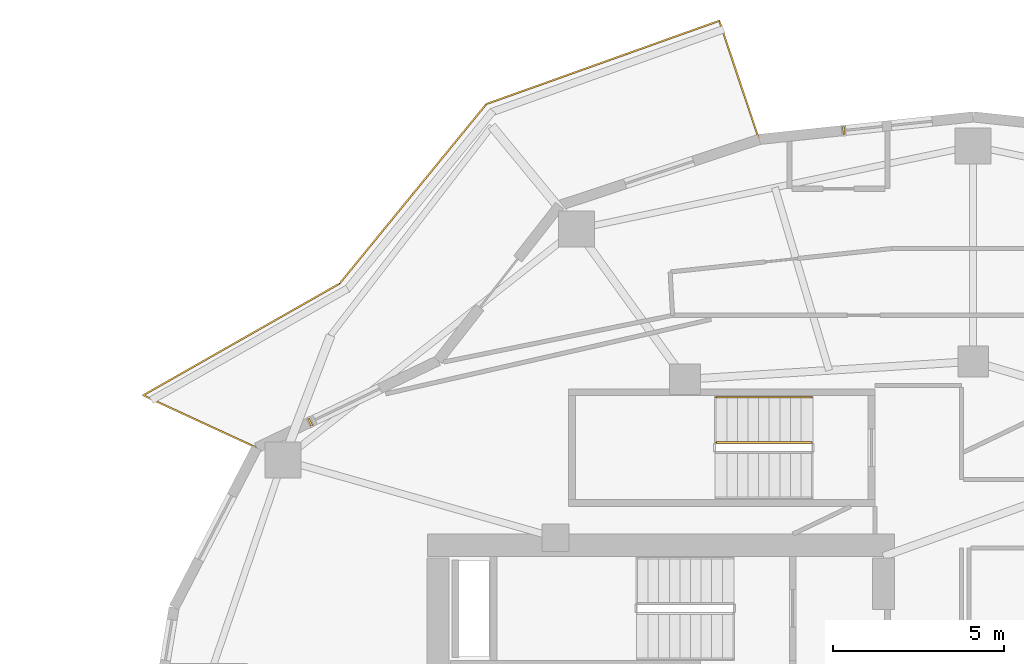
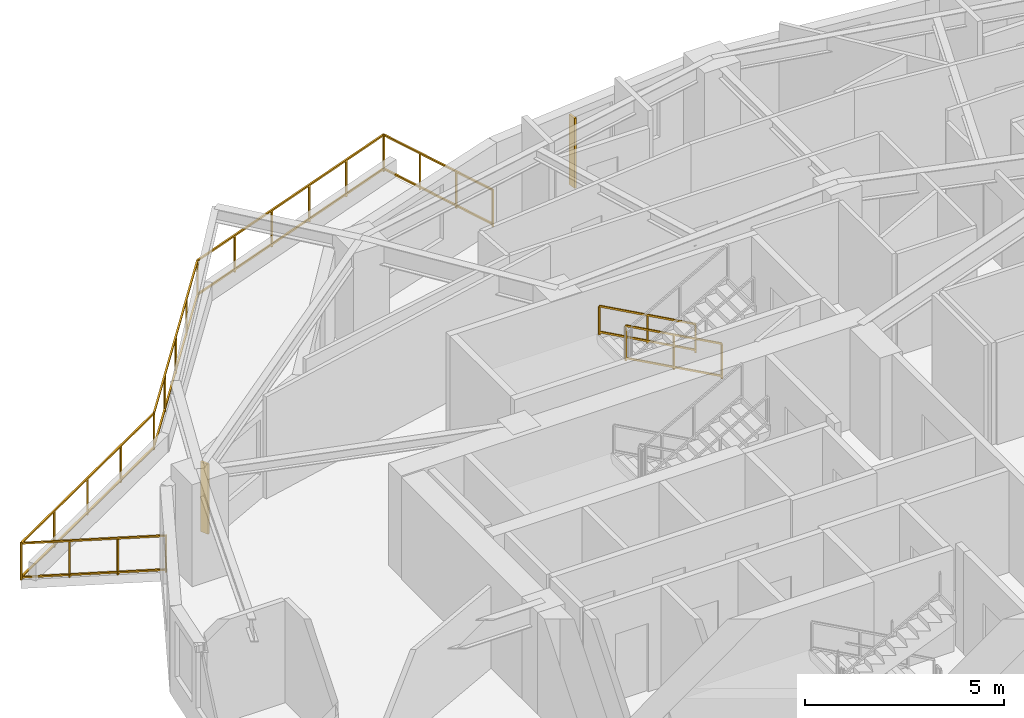
# One storey, part 19 of 19: 3 railings, 2 shading devices.
"""IFC4 building model written with IfcOpenShell, lengths in metres."""

from ifc_helpers import new_model, si_unit, direction, frame, origin, origin_2d, place, context, subcontext, project, spatial, rectangle, extrude, material, type_object, element, save


model = new_model("IFC4")

# Units and contexts
model_context = context("Model", 3, precision=1e-05, world=origin(), true_north=direction((0.0, 1.0)))
body_context = subcontext(model_context, "Body", "Model", "MODEL_VIEW")
ifc_project = project(units=[si_unit("LENGTHUNIT", "METRE"), si_unit("AREAUNIT", "SQUARE_METRE"), si_unit("VOLUMEUNIT", "CUBIC_METRE"), si_unit("PLANEANGLEUNIT", "RADIAN"), si_unit("MASSUNIT", "GRAM", prefix="KILO")], contexts=[model_context])

# Site, building, storey
site_placement = place(None, origin())
site = spatial("IfcSite", under=ifc_project, at=site_placement, CompositionType="ELEMENT")
building_placement = place(site_placement, origin())
building = spatial("IfcBuilding", under=site, at=building_placement, Name="Kolvaren Gate Tower and Convention Centre", CompositionType="ELEMENT")
storey_placement = place(building_placement, frame((0.0, 0.0, 122.300048828125)))
storey = spatial("IfcBuildingStorey", under=building, at=storey_placement, Name="L30", CompositionType="ELEMENT", Elevation=122.300048828125)

# Railings
ifc_material_1 = material(Name="Brushed Stainless Steel Grade 316L", Category="steel")
railing_type_1 = type_object("IfcRailingType", Name="ARCH-RL-GUARD-1150", PredefinedType="GUARDRAIL", material=ifc_material_1)
railing_1_placement = place(storey_placement, frame((25.39990234375, 36.830078125, 0.169921875)))
element("IfcRailing", 1, at=railing_1_placement, inside=storey, type_object=railing_type_1, Name="L30 ST-T3 stair guard 1", PredefinedType="GUARDRAIL", context=body_context, shape_type="SweptSolid", body=[
    extrude(rectangle(XDim=0.048095703125, YDim=0.048095703125, at=origin_2d()), frame((0.0, 0.0, 1.076171875), z_axis=(-0.8767936245, 0.0, 0.480866863109), x_axis=(0.0, -1.0, 0.0)), (0.0, 0.0, 1.0), 3.181884765625),
    extrude(rectangle(XDim=0.048095703125, YDim=0.048095703125, at=origin_2d()), frame((0.0, 0.0, 0.083984375), z_axis=(-0.8767936245, 0.0, 0.480866863109), x_axis=(0.0, -1.0, 0.0)), (0.0, 0.0, 1.0), 3.181884765625),
    extrude(rectangle(XDim=0.0419921875, YDim=0.0419921875, at=origin_2d()), origin(), (0.0, 0.0, 1.0), 1.050048828125),
    extrude(rectangle(XDim=0.0419921875, YDim=0.0419921875, at=origin_2d()), frame((-2.789794921875, 0.0, 1.530029296875)), (0.0, 0.0, 1.0), 1.050048828125),
    extrude(rectangle(XDim=0.0419921875, YDim=0.0419921875, at=origin_2d()), frame((-1.39501953125, 0.0, 0.76513671875)), (0.0, 0.0, 1.0), 1.050048828125),
])
railing_2_placement = place(storey_placement, frame((23.86474609375, 45.690673828125, 0.0)))
element("IfcRailing", 2, at=railing_2_placement, inside=storey, type_object=railing_type_1, Name="Tower L30 Terrace Perimeter Guardrail GR-1", PredefinedType="GUARDRAIL", context=body_context, shape_type="SweptSolid", body=[
    extrude(rectangle(XDim=0.048095703125, YDim=0.048095703125, at=origin_2d()), frame((-0.0087890625, 0.026611328125, 1.1259765625), z_axis=(-0.317588247294, 0.948228719867, 0.0), x_axis=(-0.948228719867, -0.317588247294, 0.0)), (0.0, 0.0, 1.0), 3.603759765625),
    extrude(rectangle(XDim=0.048095703125, YDim=0.048095703125, at=origin_2d()), frame((-0.0087890625, 0.026611328125, 0.083984375), z_axis=(-0.317588247294, 0.948228719867, 0.0), x_axis=(-0.948228719867, -0.317588247294, 0.0)), (0.0, 0.0, 1.0), 3.603759765625),
    extrude(rectangle(XDim=0.048095703125, YDim=0.048095703125, at=origin_2d()), frame((-1.188720703125, 3.4609375, 1.1259765625), z_axis=(-0.941628873241, -0.336652736627, 0.0), x_axis=(0.336652736627, -0.941628873241, 0.0)), (0.0, 0.0, 1.0), 7.17919921875),
    extrude(rectangle(XDim=0.048095703125, YDim=0.048095703125, at=origin_2d()), frame((-1.188720703125, 3.4609375, 0.083984375), z_axis=(-0.941628873241, -0.336652736627, 0.0), x_axis=(0.336652736627, -0.941628873241, 0.0)), (0.0, 0.0, 1.0), 7.17919921875),
    extrude(rectangle(XDim=0.048095703125, YDim=0.048095703125, at=origin_2d()), frame((-7.9931640625, 1.012939453125, 1.1259765625), z_axis=(-0.633002467947, -0.77414977593, 0.0), x_axis=(0.77414977593, -0.633002467947, 0.0)), (0.0, 0.0, 1.0), 6.724365234375),
    extrude(rectangle(XDim=0.048095703125, YDim=0.048095703125, at=origin_2d()), frame((-7.9931640625, 1.012939453125, 0.083984375), z_axis=(-0.633002467947, -0.77414977593, 0.0), x_axis=(0.77414977593, -0.633002467947, 0.0)), (0.0, 0.0, 1.0), 6.724365234375),
    extrude(rectangle(XDim=0.048095703125, YDim=0.048095703125, at=origin_2d()), frame((-12.291748046875, -4.228271484375, 1.1259765625), z_axis=(-0.869196694318, -0.494466486819, 0.0), x_axis=(0.494466486819, -0.869196694318, 0.0)), (0.0, 0.0, 1.0), 6.55029296875),
    extrude(rectangle(XDim=0.048095703125, YDim=0.048095703125, at=origin_2d()), frame((-12.291748046875, -4.228271484375, 0.083984375), z_axis=(-0.869196694318, -0.494466486819, 0.0), x_axis=(0.494466486819, -0.869196694318, 0.0)), (0.0, 0.0, 1.0), 6.55029296875),
    extrude(rectangle(XDim=0.048095703125, YDim=0.048095703125, at=origin_2d()), frame((-17.984130859375, -7.49267578125, 1.1259765625), z_axis=(0.907846116663, -0.419303503993, 0.0), x_axis=(0.419303503993, 0.907846116663, 0.0)), (0.0, 0.0, 1.0), 3.60400390625),
    extrude(rectangle(XDim=0.048095703125, YDim=0.048095703125, at=origin_2d()), frame((-17.984130859375, -7.49267578125, 0.083984375), z_axis=(0.907846116663, -0.419303503993, 0.0), x_axis=(0.419303503993, 0.907846116663, 0.0)), (0.0, 0.0, 1.0), 3.60400390625),
    extrude(rectangle(XDim=0.0419921875, YDim=0.0419921875, at=origin_2d()), origin(), (0.0, 0.0, 1.0), 1.14990234375),
    extrude(rectangle(XDim=0.0419921875, YDim=0.0419921875, at=origin_2d()), frame((-1.162353515625, 3.470458984375, 0.0)), (0.0, 0.0, 1.0), 1.14990234375),
    extrude(rectangle(XDim=0.0419921875, YDim=0.0419921875, at=origin_2d()), frame((-0.387451171875, 1.15673828125, 0.0)), (0.0, 0.0, 1.0), 1.099853515625),
    extrude(rectangle(XDim=0.0419921875, YDim=0.0419921875, at=origin_2d()), frame((-0.77490234375, 2.313720703125, 0.0)), (0.0, 0.0, 1.0), 1.099853515625),
    extrude(rectangle(XDim=0.0419921875, YDim=0.0419921875, at=origin_2d()), frame((-7.975341796875, 1.03466796875, 0.0)), (0.0, 0.0, 1.0), 1.14990234375),
    extrude(rectangle(XDim=0.0419921875, YDim=0.0419921875, at=origin_2d()), frame((-2.52490234375, 2.9833984375, 0.0)), (0.0, 0.0, 1.0), 1.099853515625),
    extrude(rectangle(XDim=0.0419921875, YDim=0.0419921875, at=origin_2d()), frame((-3.887451171875, 2.49609375, 0.0)), (0.0, 0.0, 1.0), 1.099853515625),
    extrude(rectangle(XDim=0.0419921875, YDim=0.0419921875, at=origin_2d()), frame((-5.250244140625, 2.009033203125, 0.0)), (0.0, 0.0, 1.0), 1.099853515625),
    extrude(rectangle(XDim=0.0419921875, YDim=0.0419921875, at=origin_2d()), frame((-6.61279296875, 1.521728515625, 0.0)), (0.0, 0.0, 1.0), 1.099853515625),
    extrude(rectangle(XDim=0.0419921875, YDim=0.0419921875, at=origin_2d()), frame((-12.267333984375, -4.21435546875, 0.0)), (0.0, 0.0, 1.0), 1.14990234375),
    extrude(rectangle(XDim=0.0419921875, YDim=0.0419921875, at=origin_2d()), frame((-9.04833984375, -0.277587890625, 0.0)), (0.0, 0.0, 1.0), 1.099853515625),
    extrude(rectangle(XDim=0.0419921875, YDim=0.0419921875, at=origin_2d()), frame((-10.121337890625, -1.58984375, 0.0)), (0.0, 0.0, 1.0), 1.099853515625),
    extrude(rectangle(XDim=0.0419921875, YDim=0.0419921875, at=origin_2d()), frame((-11.1943359375, -2.902099609375, 0.0)), (0.0, 0.0, 1.0), 1.099853515625),
    extrude(rectangle(XDim=0.0419921875, YDim=0.0419921875, at=origin_2d()), frame((-18.009521484375, -7.48095703125, 0.0)), (0.0, 0.0, 1.0), 1.14990234375),
    extrude(rectangle(XDim=0.0419921875, YDim=0.0419921875, at=origin_2d()), frame((-13.702880859375, -5.031005859375, 0.0)), (0.0, 0.0, 1.0), 1.099853515625),
    extrude(rectangle(XDim=0.0419921875, YDim=0.0419921875, at=origin_2d()), frame((-15.138427734375, -5.84765625, 0.0)), (0.0, 0.0, 1.0), 1.099853515625),
    extrude(rectangle(XDim=0.0419921875, YDim=0.0419921875, at=origin_2d()), frame((-16.573974609375, -6.664306640625, 0.0)), (0.0, 0.0, 1.0), 1.099853515625),
    extrude(rectangle(XDim=0.0419921875, YDim=0.0419921875, at=origin_2d()), frame((-14.686767578125, -9.015625, 0.0)), (0.0, 0.0, 1.0), 1.14990234375),
    extrude(rectangle(XDim=0.0419921875, YDim=0.0419921875, at=origin_2d()), frame((-16.90185546875, -7.992431640625, 0.0)), (0.0, 0.0, 1.0), 1.099853515625),
    extrude(rectangle(XDim=0.0419921875, YDim=0.0419921875, at=origin_2d()), frame((-15.79443359375, -8.504150390625, 0.0)), (0.0, 0.0, 1.0), 1.099853515625),
])
railing_type_2 = type_object("IfcRailingType", Name="ARCH-RL-HANDRAIL-920", PredefinedType="HANDRAIL", material=ifc_material_1)
railing_3_placement = place(storey_placement, frame((25.39990234375, 38.14990234375, 0.169921875)))
element("IfcRailing", 3, at=railing_3_placement, inside=storey, type_object=railing_type_2, Name="L30 ST-T3 stair handrail 1", PredefinedType="HANDRAIL", context=body_context, shape_type="SweptSolid", body=[
    extrude(rectangle(XDim=0.048095703125, YDim=0.048095703125, at=origin_2d()), frame((0.0, 0.0, 0.8759765625), z_axis=(-0.8767936245, 0.0, 0.480866863109), x_axis=(0.0, -1.0, 0.0)), (0.0, 0.0, 1.0), 3.181884765625),
    extrude(rectangle(XDim=0.048095703125, YDim=0.048095703125, at=origin_2d()), frame((0.0, 0.0, 0.083984375), z_axis=(-0.8767936245, 0.0, 0.480866863109), x_axis=(0.0, -1.0, 0.0)), (0.0, 0.0, 1.0), 3.181884765625),
    extrude(rectangle(XDim=0.0419921875, YDim=0.0419921875, at=origin_2d()), origin(), (0.0, 0.0, 1.0), 0.849853515625),
    extrude(rectangle(XDim=0.0419921875, YDim=0.0419921875, at=origin_2d()), frame((-2.789794921875, 0.0, 1.530029296875)), (0.0, 0.0, 1.0), 0.849853515625),
    extrude(rectangle(XDim=0.0419921875, YDim=0.0419921875, at=origin_2d()), frame((-1.39501953125, 0.0, 0.76513671875)), (0.0, 0.0, 1.0), 0.849853515625),
])

# Shading devices
ifc_material_2 = material(Name="Kiln-Fired Bogota Terracotta Ceramic Louvre Profile", Category="masonry")
shading_device_type = type_object("IfcShadingDeviceType", Name="ARCH-SHD-FIN-180", PredefinedType="JALOUSIE", material=ifc_material_2)
for number, where, z_axis, x_axis, name in (
    (4, (26.341064453125, 45.951416015625, 0.219970703125), (0.0, 0.0, 1.0), (0.994499981166, 0.104736753152, 0.0), "Ceramic Vertical Brise-Soleil Fin FN-L30-06"),
    (5, (10.7392578125, 37.425048828125, 0.219970703125), (0.0, 0.0, 1.0), (0.901362925045, 0.433064518696, 0.0), "Ceramic Vertical Brise-Soleil Fin FN-L30-09"),
):
    element("IfcShadingDevice", number, at=place(storey_placement, frame(where, z_axis=z_axis, x_axis=x_axis)), inside=storey, type_object=shading_device_type, Name=name, PredefinedType="JALOUSIE", context=body_context, shape_type="SweptSolid", body=[
        extrude(rectangle(XDim=0.06005859375, YDim=0.239990234375, at=origin_2d()), origin(), (0.0, 0.0, 1.0), 2.14990234375),
    ])

save(model, "model.ifc")
